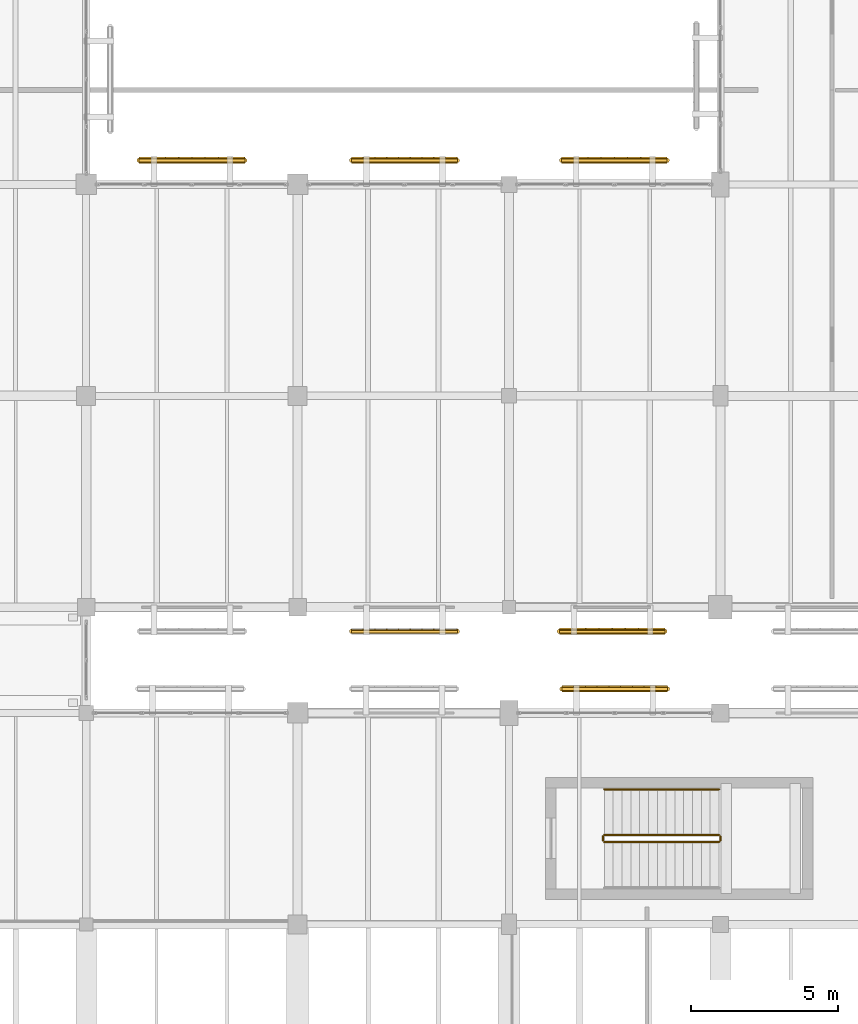
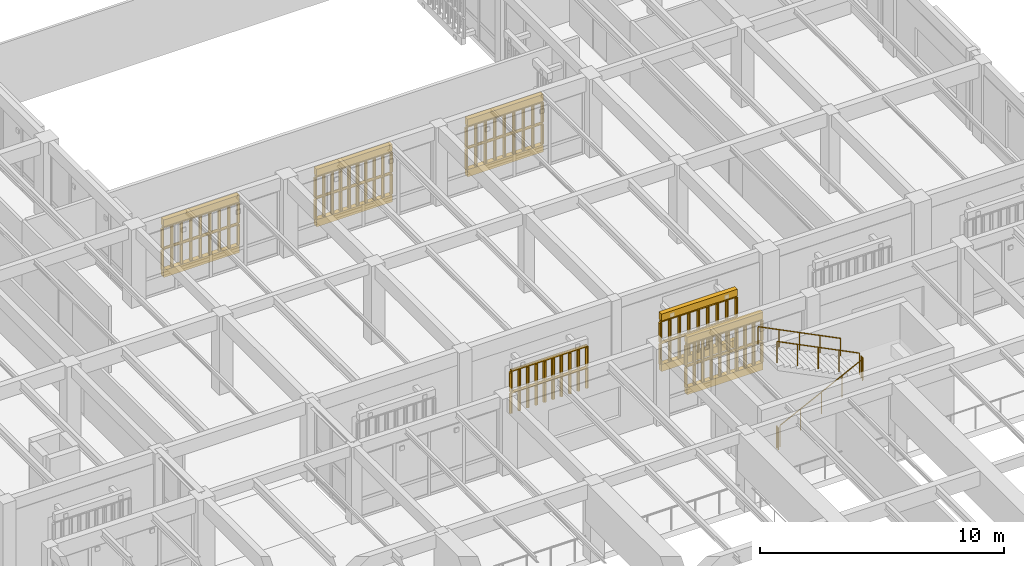
# One storey, part 165 of 170: 17 railings, 10 coverings.
"""IFC4 building model written with IfcOpenShell, lengths in metres."""

import ifcopenshell
import ifcopenshell.guid

model = None  # the IFC model being written
_history = None  # IfcOwnerHistory: only IFC2X3 demands one
_inside = {}  # id of a spatial element -> (the spatial element, [elements in it])
_under = {}  # id of a project, library or spatial element -> (it, [spatial elements below it])
_declared = {}  # id of a project -> (the project, [libraries it declares])
_typed = {}  # id of a type object -> (the type object, [elements of that type])
_made_of = {}  # id of a material, layer set ... -> (it, [elements and type objects made of it])


def new_model(schema):
    """Start an empty IFC model of exactly this schema.

    Asked for "IFC4X3", IfcOpenShell would pick the latest addendum, in which some entities
    have other attributes; the version numbers below select the first issue.
    IFC2X3 requires an IfcOwnerHistory on every rooted entity: one is made here for all.
    """
    global model, _history
    if schema == "IFC4X3":
        model = ifcopenshell.file(schema_version=(4, 3, 0, 0))
    else:
        model = ifcopenshell.file(schema=schema)
    _inside.clear()
    _under.clear()
    _declared.clear()
    _typed.clear()
    _made_of.clear()
    _history = None
    if model.schema == "IFC2X3":
        org = make("IfcOrganization", Name="unknown")
        user = make(
            "IfcPersonAndOrganization",
            ThePerson=make("IfcPerson", FamilyName="unknown"),
            TheOrganization=org,
        )
        app = make(
            "IfcApplication",
            ApplicationDeveloper=org,
            Version="unknown",
            ApplicationFullName="unknown",
            ApplicationIdentifier="unknown",
        )
        _history = make(
            "IfcOwnerHistory",
            OwningUser=user,
            OwningApplication=app,
            ChangeAction="ADDED",
            CreationDate=0,
        )
    return model


def make(cls, **values):
    """One entity of the class cls with the attributes given. An attribute that is None is left unset."""
    return model.create_entity(
        cls, **{name: value for name, value in values.items() if value is not None}
    )


def rooted(cls, **values):
    """An entity with a GlobalId (a new one), such as an element, a storey or a relation."""
    return make(cls, GlobalId=ifcopenshell.guid.new(), OwnerHistory=_history, **values)


def si_unit(unit_type, name, prefix=None):
    """IfcSIUnit, for example si_unit("LENGTHUNIT", "METRE", prefix="MILLI")."""
    return make("IfcSIUnit", UnitType=unit_type, Prefix=prefix, Name=name)


def assignment(units):
    """IfcUnitAssignment: the units of a project."""
    return None if units is None else make("IfcUnitAssignment", Units=units)


def point(xyz):
    """IfcCartesianPoint."""
    return None if xyz is None else make("IfcCartesianPoint", Coordinates=xyz)


def direction(xyz):
    """IfcDirection."""
    return None if xyz is None else make("IfcDirection", DirectionRatios=xyz)


def frame(location, z_axis=None, x_axis=None):
    """IfcAxis2Placement3D, a coordinate frame: its origin and axes. An axis left out is left unset."""
    return make(
        "IfcAxis2Placement3D",
        Location=point(location),
        Axis=direction(z_axis),
        RefDirection=direction(x_axis),
    )


def frame_2d(location, x_axis=None):
    """IfcAxis2Placement2D, a coordinate frame in the plane: its origin and x axis."""
    return make(
        "IfcAxis2Placement2D", Location=point(location), RefDirection=direction(x_axis)
    )


def origin():
    """The frame at (0, 0, 0) with its axes left unset."""
    return frame((0.0, 0.0, 0.0))


def origin_2d():
    """The frame at (0, 0) in the plane with its x axis left unset."""
    return frame_2d((0.0, 0.0))


def place(relative_to, where):
    """IfcLocalPlacement: puts the frame where relative to a parent placement (None: the world)."""
    return make(
        "IfcLocalPlacement", PlacementRelTo=relative_to, RelativePlacement=where
    )


def context(
    kind, dimensions, precision=None, world=None, true_north=None, identifier=None
):
    """IfcGeometricRepresentationContext, for example the 3D "Model" context."""
    return make(
        "IfcGeometricRepresentationContext",
        ContextIdentifier=identifier,
        ContextType=kind,
        CoordinateSpaceDimension=dimensions,
        Precision=precision,
        WorldCoordinateSystem=world,
        TrueNorth=true_north,
    )


def subcontext(parent, identifier, kind, view, scale=None):
    """IfcGeometricRepresentationSubContext, for example "Body" below "Model"."""
    return make(
        "IfcGeometricRepresentationSubContext",
        ContextIdentifier=identifier,
        ContextType=kind,
        ParentContext=parent,
        TargetScale=scale,
        TargetView=view,
    )


def project(units=None, contexts=None):
    """IfcProject with its units and contexts."""
    return rooted(
        "IfcProject",
        Name="project",
        RepresentationContexts=contexts,
        UnitsInContext=assignment(units),
    )


def spatial(cls, under=None, at=None, **own):
    """A site, building, storey or space (cls), placed at a placement, below another one or the project."""
    s = rooted(cls, ObjectPlacement=at, **own)
    if under is not None:
        _under.setdefault(under.id(), (under, []))[1].append(s)
    return s


def polyline(points):
    """IfcPolyline through the points."""
    return make("IfcPolyline", Points=[point(p) for p in points])


def profile(cls, at=None, kind="AREA", **sizes):
    """A parametric profile (cls). Its sizes go by their IFC names, for example OverallWidth=200.0."""
    return make(cls, ProfileType=kind, Position=at, **sizes)


def circle(**sizes):
    """IfcCircleProfileDef."""
    return profile("IfcCircleProfileDef", **sizes)


def outline(outer, holes=None, kind="AREA"):
    """IfcArbitraryClosedProfileDef: a profile drawn as a closed curve; with holes, ...WithVoids."""
    if holes is None:
        return make("IfcArbitraryClosedProfileDef", ProfileType=kind, OuterCurve=outer)
    return make(
        "IfcArbitraryProfileDefWithVoids",
        ProfileType=kind,
        OuterCurve=outer,
        InnerCurves=holes,
    )


def extrude(swept, where, along, depth):
    """IfcExtrudedAreaSolid: the profile swept, set in the frame where, extruded along a direction by depth."""
    return make(
        "IfcExtrudedAreaSolid",
        SweptArea=swept,
        Position=where,
        ExtrudedDirection=direction(along),
        Depth=depth,
    )


def shape(context_of_items, identifier, shape_type, items):
    """IfcShapeRepresentation: the items that make up one representation, for example the "Body"."""
    return make(
        "IfcShapeRepresentation",
        ContextOfItems=context_of_items,
        RepresentationIdentifier=identifier,
        RepresentationType=shape_type,
        Items=items,
    )


def material(Name=None, Category=None):
    """IfcMaterial."""
    return make("IfcMaterial", Name=Name, Category=Category)


def layer(
    of_material, thickness, ventilated=None, Name=None, Category=None, Priority=None
):
    """IfcMaterialLayer: one layer of a wall or slab, of a material (None: an air gap)."""
    return make(
        "IfcMaterialLayer",
        Material=of_material,
        LayerThickness=thickness,
        IsVentilated=ventilated,
        Name=Name,
        Category=Category,
        Priority=Priority,
    )


def layer_set(layers, Name=None):
    """IfcMaterialLayerSet."""
    return make("IfcMaterialLayerSet", MaterialLayers=layers, LayerSetName=Name)


def made_of(thing, what):
    """Note that an element or type object is made of a material, layer set ...; save() writes the relation."""
    if what is not None:
        _made_of.setdefault(what.id(), (what, []))[1].append(thing)
    return thing


def type_object(cls, material=None, **own):
    """A type object (cls), such as IfcWallType, which elements share."""
    return made_of(rooted(cls, **own), material)


def element(
    cls,
    number,
    at=None,
    inside=None,
    cuts=None,
    type_object=None,
    material=None,
    context=None,
    identifier="Body",
    shape_type=None,
    held_by="IfcProductDefinitionShape",
    body=None,
    shapes=None,
    **own,
):
    """One element of the class cls, such as IfcWall. Its Tag is "e" and its number.

    at: its placement. inside: the storey or other place that contains it. cuts: it is an
    opening in that element (IfcRelVoidsElement). A single representation is given by context,
    identifier, shape_type and body (its items); several are given by shapes. held_by: the class
    of the entity that holds the representations. save() writes the other relations.
    """
    e = rooted(cls, Tag="e%d" % number, ObjectPlacement=at, **own)
    if body is not None:
        shapes = [shape(context, identifier, shape_type, body)]
    if shapes is not None:
        e.Representation = make(held_by, Representations=shapes)
    if inside is not None:
        _inside.setdefault(inside.id(), (inside, []))[1].append(e)
    if cuts is not None:
        rooted(
            "IfcRelVoidsElement", RelatingBuildingElement=cuts, RelatedOpeningElement=e
        )
    if type_object is not None:
        _typed.setdefault(type_object.id(), (type_object, []))[1].append(e)
    return made_of(e, material)


def aggregate(whole, parts):
    """IfcRelAggregates: a whole, such as a stair, and the parts it consists of."""
    return rooted("IfcRelAggregates", RelatingObject=whole, RelatedObjects=parts)


def save(model, path):
    """Write the relations noted so far, then the file.

    IfcRelAggregates (storeys below a building ...), IfcRelContainedInSpatialStructure (elements
    in a storey), IfcRelDefinesByType, IfcRelAssociatesMaterial and IfcRelDeclares: one each for
    every whole, place, type object, material and project.
    """
    for whole, parts in _under.values():
        aggregate(whole, parts)
    for where, things in _inside.values():
        rooted(
            "IfcRelContainedInSpatialStructure",
            RelatedElements=things,
            RelatingStructure=where,
        )
    for kind, things in _typed.values():
        rooted("IfcRelDefinesByType", RelatedObjects=things, RelatingType=kind)
    for what, things in _made_of.values():
        rooted("IfcRelAssociatesMaterial", RelatedObjects=things, RelatingMaterial=what)
    for by, libraries in _declared.values():
        rooted("IfcRelDeclares", RelatingContext=by, RelatedDefinitions=libraries)
    model.write(path)


model = new_model("IFC4")

# Units and contexts
model_context = context("Model", 3, precision=1e-05, world=origin(), true_north=direction((0.0, 1.0)))
body_context = subcontext(model_context, "Body", "Model", "MODEL_VIEW")
ifc_project = project(units=[si_unit("LENGTHUNIT", "METRE"), si_unit("AREAUNIT", "SQUARE_METRE"), si_unit("VOLUMEUNIT", "CUBIC_METRE"), si_unit("PLANEANGLEUNIT", "RADIAN"), si_unit("MASSUNIT", "GRAM", prefix="KILO")], contexts=[model_context])

# Site, building, storey
site_placement = place(None, origin())
site = spatial("IfcSite", under=ifc_project, at=site_placement, CompositionType="ELEMENT")
building_placement = place(site_placement, origin())
building = spatial("IfcBuilding", under=site, at=building_placement, Name="Mazaris Harbour Polytechnic", CompositionType="ELEMENT")
storey_placement = place(building_placement, frame((0.0, 0.0, 5.39990234375)))
storey = spatial("IfcBuildingStorey", under=building, at=storey_placement, Name="L01", CompositionType="ELEMENT", Elevation=5.39990234375)

# Railings
ifc_material_1 = material(Name="Perforated Earth-Coloured Terracotta Block", Category="masonry")
railing_type_1 = type_object("IfcRailingType", Name="Perforated Earth-Block Claustra Lattice 1040", PredefinedType="BALUSTRADE", material=ifc_material_1)
for number, where, name in (
    (1, (153.0, 44.02001953125, 0.52001953125), "V2 L01 Lower Perforated Terracotta Block Screen 55"),
    (2, (153.0, 44.02001953125, 1.610107421875), "V2 L01 Upper Perforated Terracotta Block Screen 55"),
):
    element("IfcRailing", number, at=place(storey_placement, frame(where)), inside=storey, type_object=railing_type_1, Name=name, PredefinedType="BALUSTRADE", context=body_context, shape_type="SweptSolid", body=[
        extrude(circle(Radius=0.06982421875, at=origin_2d()), frame((0.0, 0.0, 1.02001953125), z_axis=(1.0, 0.0, 0.0), x_axis=(0.0, 1.0, 0.0)), (0.0, 0.0, 1.0), 3.60009765625),
        extrude(circle(Radius=0.074951171875, at=origin_2d()), origin(), (0.0, 0.0, 1.0), 0.9501953125),
        extrude(circle(Radius=0.074951171875, at=origin_2d()), frame((0.39990234375, 0.0, 0.0)), (0.0, 0.0, 1.0), 0.9501953125),
        extrude(circle(Radius=0.074951171875, at=origin_2d()), frame((0.800048828125, 0.0, 0.0)), (0.0, 0.0, 1.0), 0.9501953125),
        extrude(circle(Radius=0.074951171875, at=origin_2d()), frame((1.199951171875, 0.0, 0.0)), (0.0, 0.0, 1.0), 0.9501953125),
        extrude(circle(Radius=0.074951171875, at=origin_2d()), frame((1.60009765625, 0.0, 0.0)), (0.0, 0.0, 1.0), 0.9501953125),
        extrude(circle(Radius=0.074951171875, at=origin_2d()), frame((2.0, 0.0, 0.0)), (0.0, 0.0, 1.0), 0.9501953125),
        extrude(circle(Radius=0.074951171875, at=origin_2d()), frame((2.400146484375, 0.0, 0.0)), (0.0, 0.0, 1.0), 0.9501953125),
        extrude(circle(Radius=0.074951171875, at=origin_2d()), frame((2.800048828125, 0.0, 0.0)), (0.0, 0.0, 1.0), 0.9501953125),
        extrude(circle(Radius=0.074951171875, at=origin_2d()), frame((3.2001953125, 0.0, 0.0)), (0.0, 0.0, 1.0), 0.9501953125),
        extrude(circle(Radius=0.074951171875, at=origin_2d()), frame((3.60009765625, 0.0, 0.0)), (0.0, 0.0, 1.0), 0.9501953125),
    ])
for number, where, name in (
    (3, (149.4375, 45.97998046875, 0.52001953125), "V5 L01 Lower Perforated Terracotta Block Screen 368"),
    (4, (149.4375, 45.97998046875, 1.610107421875), "V5 L01 Upper Perforated Terracotta Block Screen 368"),
):
    element("IfcRailing", number, at=place(storey_placement, frame(where)), inside=storey, type_object=railing_type_1, Name=name, PredefinedType="BALUSTRADE", context=body_context, shape_type="SweptSolid", body=[
        extrude(circle(Radius=0.06982421875, at=origin_2d()), frame((0.0, 0.0, 1.02001953125), z_axis=(-1.0, 0.0, 0.0), x_axis=(0.0, -1.0, 0.0)), (0.0, 0.0, 1.0), 3.60009765625),
        extrude(circle(Radius=0.074951171875, at=origin_2d()), origin(), (0.0, 0.0, 1.0), 0.9501953125),
        extrude(circle(Radius=0.074951171875, at=origin_2d()), frame((-0.39990234375, 0.0, 0.0)), (0.0, 0.0, 1.0), 0.9501953125),
        extrude(circle(Radius=0.074951171875, at=origin_2d()), frame((-0.800048828125, 0.0, 0.0)), (0.0, 0.0, 1.0), 0.9501953125),
        extrude(circle(Radius=0.074951171875, at=origin_2d()), frame((-1.199951171875, 0.0, 0.0)), (0.0, 0.0, 1.0), 0.9501953125),
        extrude(circle(Radius=0.074951171875, at=origin_2d()), frame((-1.60009765625, 0.0, 0.0)), (0.0, 0.0, 1.0), 0.9501953125),
        extrude(circle(Radius=0.074951171875, at=origin_2d()), frame((-2.0, 0.0, 0.0)), (0.0, 0.0, 1.0), 0.9501953125),
        extrude(circle(Radius=0.074951171875, at=origin_2d()), frame((-2.400146484375, 0.0, 0.0)), (0.0, 0.0, 1.0), 0.9501953125),
        extrude(circle(Radius=0.074951171875, at=origin_2d()), frame((-2.800048828125, 0.0, 0.0)), (0.0, 0.0, 1.0), 0.9501953125),
        extrude(circle(Radius=0.074951171875, at=origin_2d()), frame((-3.2001953125, 0.0, 0.0)), (0.0, 0.0, 1.0), 0.9501953125),
        extrude(circle(Radius=0.074951171875, at=origin_2d()), frame((-3.60009765625, 0.0, 0.0)), (0.0, 0.0, 1.0), 0.9501953125),
    ])
for number, where, name in (
    (5, (156.512451171875, 45.97998046875, 0.52001953125), "V5 L01 Lower Perforated Terracotta Block Screen 369"),
    (6, (156.512451171875, 45.97998046875, 1.610107421875), "V5 L01 Upper Perforated Terracotta Block Screen 369"),
):
    element("IfcRailing", number, at=place(storey_placement, frame(where)), inside=storey, type_object=railing_type_1, Name=name, PredefinedType="BALUSTRADE", context=body_context, shape_type="SweptSolid", body=[
        extrude(circle(Radius=0.06982421875, at=origin_2d()), frame((0.0, 0.0, 1.02001953125), z_axis=(-1.0, 0.0, 0.0), x_axis=(0.0, -1.0, 0.0)), (0.0, 0.0, 1.0), 3.599853515625),
        extrude(circle(Radius=0.074951171875, at=origin_2d()), origin(), (0.0, 0.0, 1.0), 0.9501953125),
        extrude(circle(Radius=0.074951171875, at=origin_2d()), frame((-0.449951171875, 0.0, 0.0)), (0.0, 0.0, 1.0), 0.9501953125),
        extrude(circle(Radius=0.074951171875, at=origin_2d()), frame((-0.89990234375, 0.0, 0.0)), (0.0, 0.0, 1.0), 0.9501953125),
        extrude(circle(Radius=0.074951171875, at=origin_2d()), frame((-1.349853515625, 0.0, 0.0)), (0.0, 0.0, 1.0), 0.9501953125),
        extrude(circle(Radius=0.074951171875, at=origin_2d()), frame((-1.7998046875, 0.0, 0.0)), (0.0, 0.0, 1.0), 0.9501953125),
        extrude(circle(Radius=0.074951171875, at=origin_2d()), frame((-2.25, 0.0, 0.0)), (0.0, 0.0, 1.0), 0.9501953125),
        extrude(circle(Radius=0.074951171875, at=origin_2d()), frame((-2.699951171875, 0.0, 0.0)), (0.0, 0.0, 1.0), 0.9501953125),
        extrude(circle(Radius=0.074951171875, at=origin_2d()), frame((-3.14990234375, 0.0, 0.0)), (0.0, 0.0, 1.0), 0.9501953125),
        extrude(circle(Radius=0.074951171875, at=origin_2d()), frame((-3.599853515625, 0.0, 0.0)), (0.0, 0.0, 1.0), 0.9501953125),
    ])
for number, where, name in (
    (7, (138.60009765625, 62.02001953125, 0.52001953125), "V5 L01 Lower Perforated Terracotta Block Screen 394"),
    (8, (138.60009765625, 62.02001953125, 1.610107421875), "V5 L01 Upper Perforated Terracotta Block Screen 394"),
):
    element("IfcRailing", number, at=place(storey_placement, frame(where)), inside=storey, type_object=railing_type_1, Name=name, PredefinedType="BALUSTRADE", context=body_context, shape_type="SweptSolid", body=[
        extrude(circle(Radius=0.06982421875, at=origin_2d()), frame((0.0, 0.0, 1.02001953125), z_axis=(1.0, 0.0, 0.0), x_axis=(0.0, 1.0, 0.0)), (0.0, 0.0, 1.0), 3.599853515625),
        extrude(circle(Radius=0.074951171875, at=origin_2d()), origin(), (0.0, 0.0, 1.0), 0.9501953125),
        extrude(circle(Radius=0.074951171875, at=origin_2d()), frame((0.449951171875, 0.0, 0.0)), (0.0, 0.0, 1.0), 0.9501953125),
        extrude(circle(Radius=0.074951171875, at=origin_2d()), frame((0.89990234375, 0.0, 0.0)), (0.0, 0.0, 1.0), 0.9501953125),
        extrude(circle(Radius=0.074951171875, at=origin_2d()), frame((1.349853515625, 0.0, 0.0)), (0.0, 0.0, 1.0), 0.9501953125),
        extrude(circle(Radius=0.074951171875, at=origin_2d()), frame((1.7998046875, 0.0, 0.0)), (0.0, 0.0, 1.0), 0.9501953125),
        extrude(circle(Radius=0.074951171875, at=origin_2d()), frame((2.25, 0.0, 0.0)), (0.0, 0.0, 1.0), 0.9501953125),
        extrude(circle(Radius=0.074951171875, at=origin_2d()), frame((2.699951171875, 0.0, 0.0)), (0.0, 0.0, 1.0), 0.9501953125),
        extrude(circle(Radius=0.074951171875, at=origin_2d()), frame((3.14990234375, 0.0, 0.0)), (0.0, 0.0, 1.0), 0.9501953125),
        extrude(circle(Radius=0.074951171875, at=origin_2d()), frame((3.599853515625, 0.0, 0.0)), (0.0, 0.0, 1.0), 0.9501953125),
    ])
for number, where, name in (
    (9, (145.83740234375, 62.02001953125, 0.52001953125), "V5 L01 Lower Perforated Terracotta Block Screen 395"),
    (10, (145.83740234375, 62.02001953125, 1.610107421875), "V5 L01 Upper Perforated Terracotta Block Screen 395"),
):
    element("IfcRailing", number, at=place(storey_placement, frame(where)), inside=storey, type_object=railing_type_1, Name=name, PredefinedType="BALUSTRADE", context=body_context, shape_type="SweptSolid", body=[
        extrude(circle(Radius=0.06982421875, at=origin_2d()), frame((0.0, 0.0, 1.02001953125), z_axis=(1.0, 0.0, 0.0), x_axis=(0.0, 1.0, 0.0)), (0.0, 0.0, 1.0), 3.60009765625),
        extrude(circle(Radius=0.074951171875, at=origin_2d()), origin(), (0.0, 0.0, 1.0), 0.9501953125),
        extrude(circle(Radius=0.074951171875, at=origin_2d()), frame((0.39990234375, 0.0, 0.0)), (0.0, 0.0, 1.0), 0.9501953125),
        extrude(circle(Radius=0.074951171875, at=origin_2d()), frame((0.800048828125, 0.0, 0.0)), (0.0, 0.0, 1.0), 0.9501953125),
        extrude(circle(Radius=0.074951171875, at=origin_2d()), frame((1.199951171875, 0.0, 0.0)), (0.0, 0.0, 1.0), 0.9501953125),
        extrude(circle(Radius=0.074951171875, at=origin_2d()), frame((1.60009765625, 0.0, 0.0)), (0.0, 0.0, 1.0), 0.9501953125),
        extrude(circle(Radius=0.074951171875, at=origin_2d()), frame((2.0, 0.0, 0.0)), (0.0, 0.0, 1.0), 0.9501953125),
        extrude(circle(Radius=0.074951171875, at=origin_2d()), frame((2.400146484375, 0.0, 0.0)), (0.0, 0.0, 1.0), 0.9501953125),
        extrude(circle(Radius=0.074951171875, at=origin_2d()), frame((2.800048828125, 0.0, 0.0)), (0.0, 0.0, 1.0), 0.9501953125),
        extrude(circle(Radius=0.074951171875, at=origin_2d()), frame((3.2001953125, 0.0, 0.0)), (0.0, 0.0, 1.0), 0.9501953125),
        extrude(circle(Radius=0.074951171875, at=origin_2d()), frame((3.60009765625, 0.0, 0.0)), (0.0, 0.0, 1.0), 0.9501953125),
    ])
for number, where, name in (
    (11, (152.987548828125, 62.02001953125, 0.52001953125), "V5 L01 Lower Perforated Terracotta Block Screen 396"),
    (12, (152.987548828125, 62.02001953125, 1.610107421875), "V5 L01 Upper Perforated Terracotta Block Screen 396"),
):
    element("IfcRailing", number, at=place(storey_placement, frame(where)), inside=storey, type_object=railing_type_1, Name=name, PredefinedType="BALUSTRADE", context=body_context, shape_type="SweptSolid", body=[
        extrude(circle(Radius=0.06982421875, at=origin_2d()), frame((0.0, 0.0, 1.02001953125), z_axis=(1.0, 0.0, 0.0), x_axis=(0.0, 1.0, 0.0)), (0.0, 0.0, 1.0), 3.599853515625),
        extrude(circle(Radius=0.074951171875, at=origin_2d()), origin(), (0.0, 0.0, 1.0), 0.9501953125),
        extrude(circle(Radius=0.074951171875, at=origin_2d()), frame((0.449951171875, 0.0, 0.0)), (0.0, 0.0, 1.0), 0.9501953125),
        extrude(circle(Radius=0.074951171875, at=origin_2d()), frame((0.89990234375, 0.0, 0.0)), (0.0, 0.0, 1.0), 0.9501953125),
        extrude(circle(Radius=0.074951171875, at=origin_2d()), frame((1.349853515625, 0.0, 0.0)), (0.0, 0.0, 1.0), 0.9501953125),
        extrude(circle(Radius=0.074951171875, at=origin_2d()), frame((1.7998046875, 0.0, 0.0)), (0.0, 0.0, 1.0), 0.9501953125),
        extrude(circle(Radius=0.074951171875, at=origin_2d()), frame((2.25, 0.0, 0.0)), (0.0, 0.0, 1.0), 0.9501953125),
        extrude(circle(Radius=0.074951171875, at=origin_2d()), frame((2.699951171875, 0.0, 0.0)), (0.0, 0.0, 1.0), 0.9501953125),
        extrude(circle(Radius=0.074951171875, at=origin_2d()), frame((3.14990234375, 0.0, 0.0)), (0.0, 0.0, 1.0), 0.9501953125),
        extrude(circle(Radius=0.074951171875, at=origin_2d()), frame((3.599853515625, 0.0, 0.0)), (0.0, 0.0, 1.0), 0.9501953125),
    ])
ifc_material_2 = material(Name="Stainless Steel S355", Category="steel")
railing_type_2 = type_object("IfcRailingType", Name="Stair Wall Handrail 900", PredefinedType="HANDRAIL", material=ifc_material_2)
railing_1_placement = place(storey_placement, frame((158.35009765625, 40.60009765625, 2.25)))
element("IfcRailing", 13, at=railing_1_placement, inside=storey, type_object=railing_type_2, Name="L01 ST04 stair handrail 2", PredefinedType="HANDRAIL", context=body_context, shape_type="SweptSolid", body=[
    extrude(circle(Radius=0.02392578125, at=origin_2d()), frame((0.0, 0.0, 0.8759765625), z_axis=(-0.894415993023, 0.0, 0.447235990752), x_axis=(0.0, -1.0, 0.0)), (0.0, 0.0, 1.0), 4.360595703125),
    extrude(circle(Radius=0.02099609375, at=origin_2d()), origin(), (0.0, 0.0, 1.0), 0.851806640625),
    extrude(circle(Radius=0.02099609375, at=origin_2d()), frame((-0.97509765625, 0.0, 0.487548828125)), (0.0, 0.0, 1.0), 0.851806640625),
    extrude(circle(Radius=0.02099609375, at=origin_2d()), frame((-1.9501953125, 0.0, 0.97509765625)), (0.0, 0.0, 1.0), 0.851806640625),
    extrude(circle(Radius=0.02099609375, at=origin_2d()), frame((-2.925048828125, 0.0, 1.462646484375)), (0.0, 0.0, 1.0), 0.851806640625),
    extrude(circle(Radius=0.02099609375, at=origin_2d()), frame((-3.900146484375, 0.0, 1.9501953125)), (0.0, 0.0, 1.0), 0.851806640625),
])
ifc_material_3 = material(Name="Steel S355", Category="steel")
railing_type_3 = type_object("IfcRailingType", Name="Stair Well Guardrail 1100", PredefinedType="GUARDRAIL", material=ifc_material_3)
railing_2_placement = place(storey_placement, frame((154.449951171875, 38.800048828125, 0.150146484375)))
element("IfcRailing", 14, at=railing_2_placement, inside=storey, type_object=railing_type_3, Name="L01 ST04 stair guard 1", PredefinedType="GUARDRAIL", context=body_context, shape_type="SweptSolid", body=[
    extrude(circle(Radius=0.02392578125, at=origin_2d()), frame((0.0, 0.0, 1.076171875), z_axis=(0.894438388696, 0.0, 0.447191199406), x_axis=(0.0, 1.0, 0.0)), (0.0, 0.0, 1.0), 4.3603515625),
    extrude(circle(Radius=0.02099609375, at=origin_2d()), origin(), (0.0, 0.0, 1.0), 1.052001953125),
    extrude(circle(Radius=0.02099609375, at=origin_2d()), frame((0.97509765625, 0.0, 0.487548828125)), (0.0, 0.0, 1.0), 1.052001953125),
    extrude(circle(Radius=0.02099609375, at=origin_2d()), frame((1.9501953125, 0.0, 0.97509765625)), (0.0, 0.0, 1.0), 1.052001953125),
    extrude(circle(Radius=0.02099609375, at=origin_2d()), frame((2.925048828125, 0.0, 1.46240234375)), (0.0, 0.0, 1.0), 1.052001953125),
    extrude(circle(Radius=0.02099609375, at=origin_2d()), frame((3.900146484375, 0.0, 1.949951171875)), (0.0, 0.0, 1.0), 1.052001953125),
])
railing_3_placement = place(storey_placement, frame((158.39990234375, 38.85009765625, 2.10009765625)))
element("IfcRailing", 15, at=railing_3_placement, inside=storey, type_object=railing_type_3, Name="L01 ST04 stair guard 2", PredefinedType="GUARDRAIL", context=body_context, shape_type="SweptSolid", body=[
    extrude(circle(Radius=0.02392578125, at=origin_2d()), frame((0.0, 0.0, 1.076171875), z_axis=(0.0, 1.0, 0.0), x_axis=(-1.0, 0.0, 0.0)), (0.0, 0.0, 1.0), 0.14990234375),
    extrude(circle(Radius=0.02099609375, at=origin_2d()), origin(), (0.0, 0.0, 1.0), 1.052001953125),
    extrude(circle(Radius=0.02099609375, at=origin_2d()), frame((0.0, 0.14990234375, 0.0)), (0.0, 0.0, 1.0), 1.052001953125),
])
railing_4_placement = place(storey_placement, frame((158.35009765625, 39.050048828125, 2.25)))
element("IfcRailing", 16, at=railing_4_placement, inside=storey, type_object=railing_type_3, Name="L01 ST04 stair guard 3", PredefinedType="GUARDRAIL", context=body_context, shape_type="SweptSolid", body=[
    extrude(circle(Radius=0.02392578125, at=origin_2d()), frame((0.0, 0.0, 1.076171875), z_axis=(-0.894415993023, 0.0, 0.447235990752), x_axis=(0.0, -1.0, 0.0)), (0.0, 0.0, 1.0), 4.360595703125),
    extrude(circle(Radius=0.02099609375, at=origin_2d()), origin(), (0.0, 0.0, 1.0), 1.052001953125),
    extrude(circle(Radius=0.02099609375, at=origin_2d()), frame((-0.97509765625, 0.0, 0.487548828125)), (0.0, 0.0, 1.0), 1.052001953125),
    extrude(circle(Radius=0.02099609375, at=origin_2d()), frame((-1.9501953125, 0.0, 0.97509765625)), (0.0, 0.0, 1.0), 1.052001953125),
    extrude(circle(Radius=0.02099609375, at=origin_2d()), frame((-2.925048828125, 0.0, 1.462646484375)), (0.0, 0.0, 1.0), 1.052001953125),
    extrude(circle(Radius=0.02099609375, at=origin_2d()), frame((-3.900146484375, 0.0, 1.9501953125)), (0.0, 0.0, 1.0), 1.052001953125),
])
railing_5_placement = place(storey_placement, frame((154.39990234375, 38.85009765625, 0.0)))
element("IfcRailing", 17, at=railing_5_placement, inside=storey, type_object=railing_type_3, Name="L01 ST04 stair guard 4", PredefinedType="GUARDRAIL", context=body_context, shape_type="SweptSolid", body=[
    extrude(circle(Radius=0.02392578125, at=origin_2d()), frame((0.0, 0.0, 1.076171875), z_axis=(0.0, 1.0, 0.0), x_axis=(-1.0, 0.0, 0.0)), (0.0, 0.0, 1.0), 0.14990234375),
    extrude(circle(Radius=0.02099609375, at=origin_2d()), origin(), (0.0, 0.0, 1.0), 1.052001953125),
    extrude(circle(Radius=0.02099609375, at=origin_2d()), frame((0.0, 0.14990234375, 0.0)), (0.0, 0.0, 1.0), 1.052001953125),
])

# Coverings
ifc_material_4 = material(Name="Perforated Earth-Coloured Terracotta Block", Category="masonry")
ifc_layer = layer(ifc_material_4, 0.219970703125, Name="Perforated Earth-Coloured Terracotta Block")
ifc_layer_set = layer_set([ifc_layer], Name="Perforated Earth-Coloured Terracotta Block")
covering_type = type_object("IfcCoveringType", Name="Terracotta Screen Course Cladding 220", PredefinedType="CLADDING", material=ifc_layer_set)
covering_1_placement = place(storey_placement, frame((0.0, 0.0, 0.16015625)))
element("IfcCovering", 18, at=covering_1_placement, inside=storey, type_object=covering_type, Name="V2 L01 Perforated Screen Sill Course 55", PredefinedType="CLADDING", context=body_context, shape_type="SweptSolid", body=[
    extrude(outline(polyline([(153.0, 43.909912109375), (156.60009765625, 43.909912109375), (156.60009765625, 44.1298828125), (153.0, 44.1298828125), (153.0, 43.909912109375)])), origin(), (0.0, 0.0, 1.0), 0.35986328125),
])
covering_2_placement = place(storey_placement, frame((0.0, 0.0, 2.7001953125)))
element("IfcCovering", 19, at=covering_2_placement, inside=storey, type_object=covering_type, Name="V2 L01 Perforated Screen Lintel Course 55", PredefinedType="CLADDING", context=body_context, shape_type="SweptSolid", body=[
    extrude(outline(polyline([(153.0, 43.909912109375), (156.60009765625, 43.909912109375), (156.60009765625, 44.1298828125), (153.0, 44.1298828125), (153.0, 43.909912109375)])), origin(), (0.0, 0.0, 1.0), 0.33984375),
])
covering_3_placement = place(storey_placement, frame((0.0, 0.0, 0.16015625)))
element("IfcCovering", 20, at=covering_3_placement, inside=storey, type_object=covering_type, Name="V5 L01 Perforated Screen Sill Course 369", PredefinedType="CLADDING", context=body_context, shape_type="SweptSolid", body=[
    extrude(outline(polyline([(156.512451171875, 46.090087890625), (152.91259765625, 46.090087890625), (152.91259765625, 45.8701171875), (156.512451171875, 45.8701171875), (156.512451171875, 46.090087890625)])), origin(), (0.0, 0.0, 1.0), 0.35986328125),
])
covering_4_placement = place(storey_placement, frame((0.0, 0.0, 2.7001953125)))
element("IfcCovering", 21, at=covering_4_placement, inside=storey, type_object=covering_type, Name="V5 L01 Perforated Screen Lintel Course 369", PredefinedType="CLADDING", context=body_context, shape_type="SweptSolid", body=[
    extrude(outline(polyline([(156.512451171875, 46.090087890625), (152.91259765625, 46.090087890625), (152.91259765625, 45.8701171875), (156.512451171875, 45.8701171875), (156.512451171875, 46.090087890625)])), origin(), (0.0, 0.0, 1.0), 0.33984375),
])
covering_5_placement = place(storey_placement, frame((0.0, 0.0, 0.16015625)))
element("IfcCovering", 22, at=covering_5_placement, inside=storey, type_object=covering_type, Name="V5 L01 Perforated Screen Sill Course 394", PredefinedType="CLADDING", context=body_context, shape_type="SweptSolid", body=[
    extrude(outline(polyline([(138.60009765625, 61.909912109375), (142.199951171875, 61.909912109375), (142.199951171875, 62.1298828125), (138.60009765625, 62.1298828125), (138.60009765625, 61.909912109375)])), origin(), (0.0, 0.0, 1.0), 0.35986328125),
])
covering_6_placement = place(storey_placement, frame((0.0, 0.0, 2.7001953125)))
element("IfcCovering", 23, at=covering_6_placement, inside=storey, type_object=covering_type, Name="V5 L01 Perforated Screen Lintel Course 394", PredefinedType="CLADDING", context=body_context, shape_type="SweptSolid", body=[
    extrude(outline(polyline([(138.60009765625, 61.909912109375), (142.199951171875, 61.909912109375), (142.199951171875, 62.1298828125), (138.60009765625, 62.1298828125), (138.60009765625, 61.909912109375)])), origin(), (0.0, 0.0, 1.0), 0.33984375),
])
covering_7_placement = place(storey_placement, frame((0.0, 0.0, 0.16015625)))
element("IfcCovering", 24, at=covering_7_placement, inside=storey, type_object=covering_type, Name="V5 L01 Perforated Screen Sill Course 395", PredefinedType="CLADDING", context=body_context, shape_type="SweptSolid", body=[
    extrude(outline(polyline([(145.83740234375, 61.909912109375), (149.4375, 61.909912109375), (149.4375, 62.1298828125), (145.83740234375, 62.1298828125), (145.83740234375, 61.909912109375)])), origin(), (0.0, 0.0, 1.0), 0.35986328125),
])
covering_8_placement = place(storey_placement, frame((0.0, 0.0, 2.7001953125)))
element("IfcCovering", 25, at=covering_8_placement, inside=storey, type_object=covering_type, Name="V5 L01 Perforated Screen Lintel Course 395", PredefinedType="CLADDING", context=body_context, shape_type="SweptSolid", body=[
    extrude(outline(polyline([(145.83740234375, 61.909912109375), (149.4375, 61.909912109375), (149.4375, 62.1298828125), (145.83740234375, 62.1298828125), (145.83740234375, 61.909912109375)])), origin(), (0.0, 0.0, 1.0), 0.33984375),
])
covering_9_placement = place(storey_placement, frame((0.0, 0.0, 0.16015625)))
element("IfcCovering", 26, at=covering_9_placement, inside=storey, type_object=covering_type, Name="V5 L01 Perforated Screen Sill Course 396", PredefinedType="CLADDING", context=body_context, shape_type="SweptSolid", body=[
    extrude(outline(polyline([(152.987548828125, 61.909912109375), (156.58740234375, 61.909912109375), (156.58740234375, 62.1298828125), (152.987548828125, 62.1298828125), (152.987548828125, 61.909912109375)])), origin(), (0.0, 0.0, 1.0), 0.35986328125),
])
covering_10_placement = place(storey_placement, frame((0.0, 0.0, 2.7001953125)))
element("IfcCovering", 27, at=covering_10_placement, inside=storey, type_object=covering_type, Name="V5 L01 Perforated Screen Lintel Course 396", PredefinedType="CLADDING", context=body_context, shape_type="SweptSolid", body=[
    extrude(outline(polyline([(152.987548828125, 61.909912109375), (156.58740234375, 61.909912109375), (156.58740234375, 62.1298828125), (152.987548828125, 62.1298828125), (152.987548828125, 61.909912109375)])), origin(), (0.0, 0.0, 1.0), 0.33984375),
])

save(model, "model.ifc")
